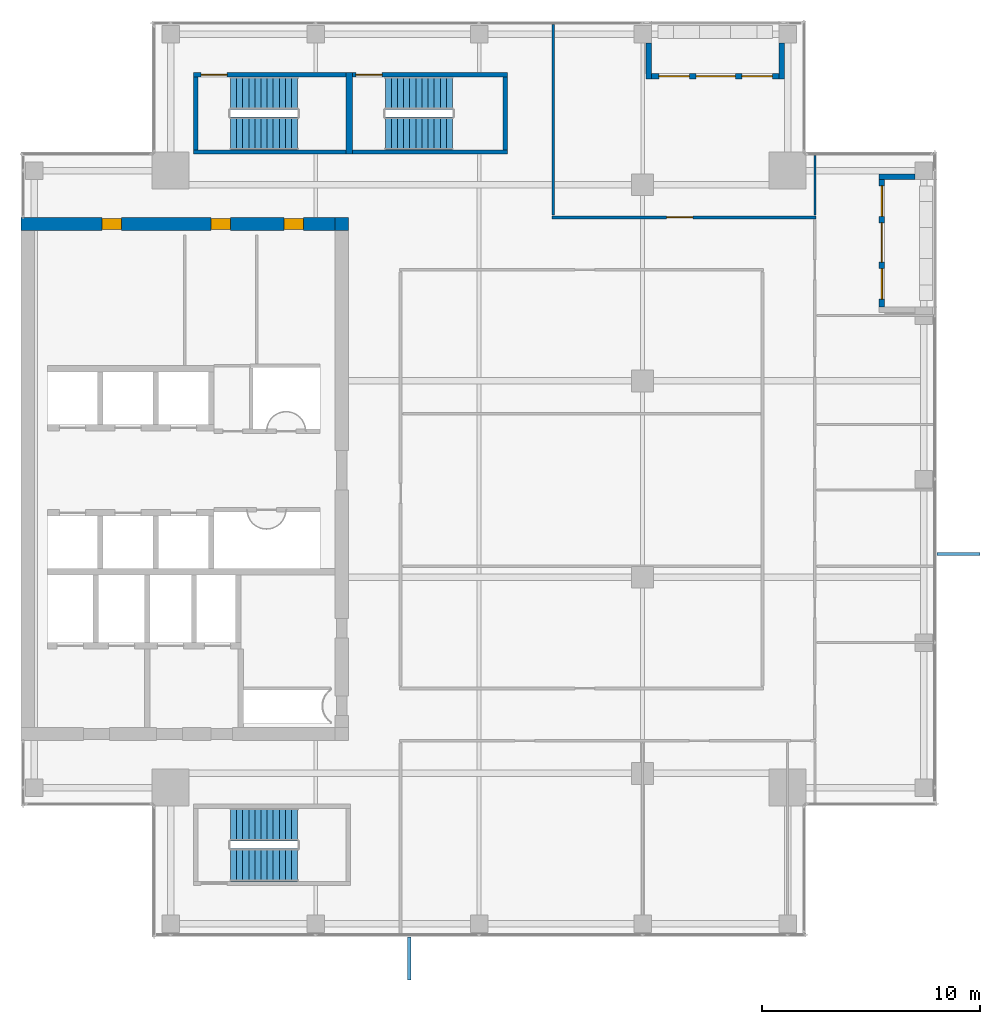
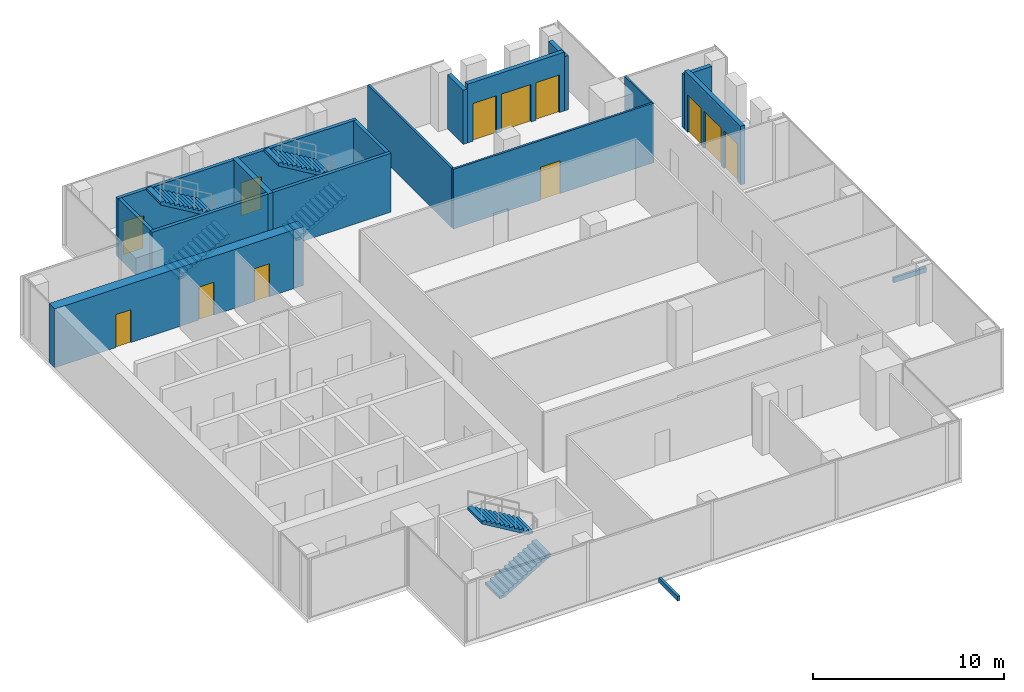
# One storey, part 25 of 28: 17 walls, 8 doors, 6 stair flights, 4 windows, 2 discrete accessories, 12 openings, 3 elements without a shape of their own.
"""IFC4 building model written with IfcOpenShell, lengths in metres."""

from ifc_helpers import new_model, si_unit, direction, frame, frame_2d, origin, origin_2d, place, context, subcontext, project, spatial, polyline, rectangle, outline, extrude, source, transform, mapped, material, layer, layer_set, type_object, element, fill, aggregate, save


model = new_model("IFC4")

# Units and contexts
model_context = context("Model", 3, precision=1e-05, world=origin(), true_north=direction((0.0, 1.0)))
body_context = subcontext(model_context, "Body", "Model", "MODEL_VIEW")
ifc_project = project(units=[si_unit("LENGTHUNIT", "METRE"), si_unit("AREAUNIT", "SQUARE_METRE"), si_unit("VOLUMEUNIT", "CUBIC_METRE"), si_unit("PLANEANGLEUNIT", "RADIAN"), si_unit("MASSUNIT", "GRAM", prefix="KILO")], contexts=[model_context])

# Site, building, storey
site_placement = place(None, origin())
site = spatial("IfcSite", under=ifc_project, at=site_placement, CompositionType="ELEMENT")
building_placement = place(site_placement, origin())
building = spatial("IfcBuilding", under=site, at=building_placement, Name="Khomas Fold Tower", CompositionType="ELEMENT")
storey_placement = place(building_placement, frame((0.0, 0.0, 302.199951171875)))
storey = spatial("IfcBuildingStorey", under=building, at=storey_placement, Name="L68", CompositionType="ELEMENT", Elevation=302.199951171875)

# Wall, opening, door
ifc_material_1 = material(Name="Concrete C50/60", Category="concrete")
ifc_layer_1 = layer(ifc_material_1, 0.199951171875)
ifc_layer_set_1 = layer_set([ifc_layer_1], Name="Concrete C50/60")
wall_type_1 = type_object("IfcWallType", Name="Stair wall 200", PredefinedType="SHEAR", material=ifc_layer_set_1)
shared_shape_1 = source(origin(), body_context, "Body", "SweptSolid", [
    extrude(rectangle(XDim=7.0, YDim=0.199951171875, at=frame_2d((3.5, 0.0))), origin(), (0.0, 0.0, 1.0), 3.75),
])
wall_1_placement = place(storey_placement, frame((13.89990234375, 45.550048828125, 0.0), z_axis=(0.0, 0.0, 1.0), x_axis=(1.0, 0.0, 0.0)))
wall_1 = element("IfcWall", 1, at=wall_1_placement, inside=storey, type_object=wall_type_1, Name="Stair wall SW-ST1-N", PredefinedType="SHEAR", context=body_context, shape_type="MappedRepresentation", body=[
    mapped(shared_shape_1, transform((0.0, 0.0, 0.0))),
])
shared_shape_2 = source(origin(), body_context, "Body", "SweptSolid", [
    extrude(rectangle(XDim=1.199951171875, YDim=2.10009765625, at=frame_2d((0.60009765625, 1.050048828125))), frame((0.0, 0.10986328125, 0.0), z_axis=(0.0, -1.0, 0.0), x_axis=(1.0, 0.0, 0.0)), (0.0, 0.0, 1.0), 0.219970703125),
])
opening_1_placement = place(wall_1_placement, frame((0.35009765625, 0.0, 0.0)))
opening_1 = element("IfcOpeningElement", 2, at=opening_1_placement, cuts=wall_1, Name="Opening SD-ST1", PredefinedType="OPENING", context=body_context, shape_type="MappedRepresentation", body=[
    mapped(shared_shape_2, transform((0.0, 0.0, 0.0))),
])
ifc_material_2 = material(Name="Steel door leaf", Category="steel")
door_type_1 = type_object("IfcDoorType", Name="Stair door 1200x2100 left-hand", OperationType="SINGLE_SWING_LEFT", PredefinedType="DOOR", material=ifc_material_2)
shared_shape_3 = source(origin(), body_context, "Body", "SweptSolid", [
    extrude(rectangle(XDim=1.199951171875, YDim=2.10009765625, at=frame_2d((0.60009765625, 1.050048828125))), frame((0.0, 0.02490234375, 0.0), z_axis=(0.0, -1.0, 0.0), x_axis=(1.0, 0.0, 0.0)), (0.0, 0.0, 1.0), 0.050048828125),
])
door_1_placement = place(opening_1_placement, origin())
door_1 = element("IfcDoor", 3, at=door_1_placement, inside=storey, type_object=door_type_1, Name="Stair door", OperationType="SINGLE_SWING_LEFT", OverallHeight=2.10009765625, OverallWidth=1.199951171875, PredefinedType="DOOR", context=body_context, shape_type="MappedRepresentation", body=[
    mapped(shared_shape_3, transform((0.0, 0.0, 0.0))),
])
fill(opening_1, door_1)

# Wall
wall_2_placement = place(storey_placement, frame((13.89990234375, 42.0, 0.0), z_axis=(0.0, 0.0, 1.0), x_axis=(1.0, 0.0, 0.0)))
element("IfcWall", 4, at=wall_2_placement, inside=storey, type_object=wall_type_1, Name="Stair wall SW-ST1-S", PredefinedType="SHEAR", context=body_context, shape_type="MappedRepresentation", body=[
    mapped(shared_shape_1, transform((0.0, 0.0, 0.0))),
])

# Wall, opening, door
shared_shape_4 = source(origin(), body_context, "Body", "SweptSolid", [
    extrude(rectangle(XDim=7.10009765625, YDim=0.199951171875, at=frame_2d((3.550048828125, 0.0))), origin(), (0.0, 0.0, 1.0), 3.75),
])
wall_3_placement = place(storey_placement, frame((21.199951171875, 45.550048828125, 0.0), z_axis=(0.0, 0.0, 1.0), x_axis=(1.0, 0.0, 0.0)))
wall_3 = element("IfcWall", 5, at=wall_3_placement, inside=storey, type_object=wall_type_1, Name="Stair wall SW-ST3-N", PredefinedType="SHEAR", context=body_context, shape_type="MappedRepresentation", body=[
    mapped(shared_shape_4, transform((0.0, 0.0, 0.0))),
])
opening_2_placement = place(wall_3_placement, frame((0.14990234375, 0.0, 0.0)))
opening_2 = element("IfcOpeningElement", 6, at=opening_2_placement, cuts=wall_3, Name="Opening SD-ST3", PredefinedType="OPENING", context=body_context, shape_type="MappedRepresentation", body=[
    mapped(shared_shape_2, transform((0.0, 0.0, 0.0))),
])
door_2_placement = place(opening_2_placement, origin())
door_2 = element("IfcDoor", 7, at=door_2_placement, inside=storey, type_object=door_type_1, Name="Stair door", OperationType="SINGLE_SWING_LEFT", OverallHeight=2.10009765625, OverallWidth=1.199951171875, PredefinedType="DOOR", context=body_context, shape_type="MappedRepresentation", body=[
    mapped(shared_shape_3, transform((0.0, 0.0, 0.0))),
])
fill(opening_2, door_2)

# Walls
wall_4_placement = place(storey_placement, frame((21.199951171875, 42.0, 0.0), z_axis=(0.0, 0.0, 1.0), x_axis=(1.0, 0.0, 0.0)))
element("IfcWall", 8, at=wall_4_placement, inside=storey, type_object=wall_type_1, Name="Stair wall SW-ST3-S", PredefinedType="SHEAR", context=body_context, shape_type="MappedRepresentation", body=[
    mapped(shared_shape_4, transform((0.0, 0.0, 0.0))),
])
ifc_material_3 = material(Name="Concrete C50/60", Category="concrete")
ifc_layer_2 = layer(ifc_material_3, 0.300048828125)
ifc_layer_set_2 = layer_set([ifc_layer_2], Name="Concrete C50/60")
wall_type_2 = type_object("IfcWallType", Name="Stair wall 300", PredefinedType="SHEAR", material=ifc_layer_set_2)
shared_shape_5 = source(origin(), body_context, "Body", "SweptSolid", [
    extrude(rectangle(XDim=3.75, YDim=0.300048828125, at=frame_2d((1.875, 0.0))), origin(), (0.0, 0.0, 1.0), 3.75),
])
wall_5_placement = place(storey_placement, frame((21.050048828125, 41.89990234375, 0.0), z_axis=(0.0, 0.0, 1.0), x_axis=(0.0, 1.0, 0.0)))
element("IfcWall", 9, at=wall_5_placement, inside=storey, type_object=wall_type_2, Name="Stair wall SW-ST1-E", PredefinedType="SHEAR", context=body_context, shape_type="MappedRepresentation", body=[
    mapped(shared_shape_5, transform((0.0, 0.0, 0.0))),
])
shared_shape_6 = source(origin(), body_context, "Body", "SweptSolid", [
    extrude(rectangle(XDim=3.349853515625, YDim=0.199951171875, at=frame_2d((1.6748046875, 0.0))), origin(), (0.0, 0.0, 1.0), 3.75),
])
for number, where, z_axis, x_axis, name in (
    (10, (14.0, 42.10009765625, 0.0), (0.0, 0.0, 1.0), (0.0, 1.0, 0.0), "Stair wall SW-ST1-W"),
    (11, (28.199951171875, 42.10009765625, 0.0), (0.0, 0.0, 1.0), (0.0, 1.0, 0.0), "Stair wall SW-ST3-E"),
):
    element("IfcWall", number, at=place(storey_placement, frame(where, z_axis=z_axis, x_axis=x_axis)), inside=storey, type_object=wall_type_1, Name=name, PredefinedType="SHEAR", context=body_context, shape_type="MappedRepresentation", body=[
        mapped(shared_shape_6, transform((0.0, 0.0, 0.0))),
    ])

# Wall, openings, doors
ifc_material_4 = material(Name="Concrete C50/60", Category="concrete")
ifc_layer_3 = layer(ifc_material_4, 0.60009765625)
ifc_layer_set_3 = layer_set([ifc_layer_3], Name="Concrete C50/60")
wall_type_3 = type_object("IfcWallType", Name="Core wall 600", PredefinedType="SHEAR", material=ifc_layer_set_3)
shared_shape_7 = source(origin(), body_context, "Body", "SweptSolid", [
    extrude(rectangle(XDim=14.39990234375, YDim=0.60009765625, at=frame_2d((7.199951171875, 0.0))), origin(), (0.0, 0.0, 1.0), 3.75),
])
wall_6_placement = place(storey_placement, frame((6.0, 38.699951171875, 0.0), z_axis=(0.0, 0.0, 1.0), x_axis=(1.0, 0.0, 0.0)))
wall_6 = element("IfcWall", 12, at=wall_6_placement, inside=storey, type_object=wall_type_3, Name="Core wall CW-U-N-L63", PredefinedType="SHEAR", context=body_context, shape_type="MappedRepresentation", body=[
    mapped(shared_shape_7, transform((0.0, 0.0, 0.0))),
])
shared_shape_8 = source(origin(), body_context, "Body", "SweptSolid", [
    extrude(rectangle(XDim=0.89990234375, YDim=2.10009765625, at=frame_2d((0.449951171875, 1.050048828125))), frame((0.0, 0.31005859375, 0.0), z_axis=(0.0, -1.0, 0.0), x_axis=(1.0, 0.0, 0.0)), (0.0, 0.0, 1.0), 0.6201171875),
])
opening_3_placement = place(wall_6_placement, frame((3.699951171875, 0.0, 0.0)))
opening_3 = element("IfcOpeningElement", 13, at=opening_3_placement, cuts=wall_6, Name="Opening 0008", PredefinedType="OPENING", context=body_context, shape_type="MappedRepresentation", body=[
    mapped(shared_shape_8, transform((0.0, 0.0, 0.0))),
])
opening_4_placement = place(wall_6_placement, frame((8.699951171875, 0.0, 0.0)))
opening_4 = element("IfcOpeningElement", 14, at=opening_4_placement, cuts=wall_6, Name="Opening 0008", PredefinedType="OPENING", context=body_context, shape_type="MappedRepresentation", body=[
    mapped(shared_shape_8, transform((0.0, 0.0, 0.0))),
])
opening_5_placement = place(wall_6_placement, frame((12.050048828125, 0.0, 0.0)))
opening_5 = element("IfcOpeningElement", 15, at=opening_5_placement, cuts=wall_6, Name="Opening 0008", PredefinedType="OPENING", context=body_context, shape_type="MappedRepresentation", body=[
    mapped(shared_shape_8, transform((0.0, 0.0, 0.0))),
])
ifc_material_5 = material(Name="Timber door leaf", Category="wood")
door_type_2 = type_object("IfcDoorType", Name="Door 900x2100 right-hand", OperationType="SINGLE_SWING_RIGHT", PredefinedType="DOOR", material=ifc_material_5)
shared_shape_9 = source(origin(), body_context, "Body", "SweptSolid", [
    extrude(rectangle(XDim=0.89990234375, YDim=2.10009765625, at=frame_2d((0.449951171875, 1.050048828125))), frame((0.0, 0.25, 0.0), z_axis=(0.0, -1.0, 0.0), x_axis=(1.0, 0.0, 0.0)), (0.0, 0.0, 1.0), 0.5),
])
door_3_placement = place(opening_3_placement, origin())
door_3 = element("IfcDoor", 16, at=door_3_placement, inside=storey, type_object=door_type_2, Name="Door", OperationType="SINGLE_SWING_RIGHT", OverallHeight=2.10009765625, OverallWidth=0.89990234375, PredefinedType="DOOR", context=body_context, shape_type="MappedRepresentation", body=[
    mapped(shared_shape_9, transform((0.0, 0.0, 0.0))),
])
fill(opening_3, door_3)
door_4_placement = place(opening_4_placement, origin())
door_4 = element("IfcDoor", 17, at=door_4_placement, inside=storey, type_object=door_type_2, Name="Door", OperationType="SINGLE_SWING_RIGHT", OverallHeight=2.10009765625, OverallWidth=0.89990234375, PredefinedType="DOOR", context=body_context, shape_type="MappedRepresentation", body=[
    mapped(shared_shape_9, transform((0.0, 0.0, 0.0))),
])
fill(opening_4, door_4)
door_5_placement = place(opening_5_placement, origin())
door_5 = element("IfcDoor", 18, at=door_5_placement, inside=storey, type_object=door_type_2, Name="Door", OperationType="SINGLE_SWING_RIGHT", OverallHeight=2.10009765625, OverallWidth=0.89990234375, PredefinedType="DOOR", context=body_context, shape_type="MappedRepresentation", body=[
    mapped(shared_shape_9, transform((0.0, 0.0, 0.0))),
])
fill(opening_5, door_5)

# Wall
ifc_material_6 = material(Name="Concrete C50/60", Category="concrete")
ifc_layer_4 = layer(ifc_material_6, 0.60009765625)
ifc_layer_set_4 = layer_set([ifc_layer_4], Name="Concrete C50/60")
wall_type_4 = type_object("IfcWallType", Name="Core corner wall 600", PredefinedType="SHEAR", material=ifc_layer_set_4)
shared_shape_10 = source(origin(), body_context, "Body", "SweptSolid", [
    extrude(rectangle(XDim=0.60009765625, YDim=0.60009765625, at=frame_2d((0.300048828125, 0.0))), origin(), (0.0, 0.0, 1.0), 3.75),
])
wall_7_placement = place(storey_placement, frame((20.39990234375, 38.699951171875, 0.0), z_axis=(0.0, 0.0, 1.0), x_axis=(1.0, 0.0, 0.0)))
element("IfcWall", 19, at=wall_7_placement, inside=storey, type_object=wall_type_4, Name="Core wall CW-U-NE-L63", PredefinedType="SHEAR", context=body_context, shape_type="MappedRepresentation", body=[
    mapped(shared_shape_10, transform((0.0, 0.0, 0.0))),
])

# Wall, openings, door, windows
ifc_material_7 = material(Name="Natural stone", Category="masonry")
ifc_layer_5 = layer(ifc_material_7, 0.0400390625)
ifc_material_8 = material(Name="Mineral wool insulation", Category="insulation")
ifc_layer_6 = layer(ifc_material_8, 0.10009765625)
ifc_material_9 = material(Name="Masonry", Category="masonry")
ifc_layer_7 = layer(ifc_material_9, 0.110107421875)
ifc_layer_set_5 = layer_set([ifc_layer_5, ifc_layer_6, ifc_layer_7], Name="Stone-faced insulated masonry")
wall_type_5 = type_object("IfcWallType", Name="BL-Balcony wall", PredefinedType="SOLIDWALL", material=ifc_layer_set_5)
shared_shape_11 = source(origin(), body_context, "Body", "SweptSolid", [
    extrude(rectangle(XDim=5.85009765625, YDim=0.25, at=frame_2d((2.925048828125, 0.0))), origin(), (0.0, 0.0, 1.0), 3.75),
])
wall_8_placement = place(storey_placement, frame((34.89990234375, 45.47509765625, 0.0), z_axis=(0.0, 0.0, 1.0), x_axis=(1.0, 0.0, 0.0)))
wall_8 = element("IfcWall", 20, at=wall_8_placement, inside=storey, type_object=wall_type_5, Name="Balcony wall BAL-L68-N4", PredefinedType="SOLIDWALL", context=body_context, shape_type="MappedRepresentation", body=[
    mapped(shared_shape_11, transform((0.0, 0.0, 0.0))),
])
shared_shape_12 = source(origin(), body_context, "Body", "SweptSolid", [
    extrude(rectangle(XDim=1.39990234375, YDim=2.39990234375, at=frame_2d((0.699951171875, 1.199951171875))), frame((0.0, 0.135009765625, 0.0), z_axis=(0.0, -1.0, 0.0), x_axis=(1.0, 0.0, 0.0)), (0.0, 0.0, 1.0), 0.27001953125),
])
opening_6_placement = place(wall_8_placement, frame((0.35009765625, 0.0, 0.0)))
opening_6 = element("IfcOpeningElement", 21, at=opening_6_placement, cuts=wall_8, Name="Opening BL-W6", PredefinedType="OPENING", context=body_context, shape_type="MappedRepresentation", body=[
    mapped(shared_shape_12, transform((0.0, 0.0, 0.0))),
])
opening_7_placement = place(wall_8_placement, frame((4.14990234375, 0.0, 0.0)))
opening_7 = element("IfcOpeningElement", 22, at=opening_7_placement, cuts=wall_8, Name="Opening BL-W6", PredefinedType="OPENING", context=body_context, shape_type="MappedRepresentation", body=[
    mapped(shared_shape_12, transform((0.0, 0.0, 0.0))),
])
shared_shape_13 = source(origin(), body_context, "Body", "SweptSolid", [
    extrude(rectangle(XDim=1.800048828125, YDim=2.39990234375, at=frame_2d((0.89990234375, 1.199951171875))), frame((0.0, 0.135009765625, 0.0), z_axis=(0.0, -1.0, 0.0), x_axis=(1.0, 0.0, 0.0)), (0.0, 0.0, 1.0), 0.27001953125),
])
opening_8_placement = place(wall_8_placement, frame((2.050048828125, 0.0, 0.0)))
opening_8 = element("IfcOpeningElement", 23, at=opening_8_placement, cuts=wall_8, Name="Opening BD681", PredefinedType="OPENING", context=body_context, shape_type="MappedRepresentation", body=[
    mapped(shared_shape_13, transform((0.0, 0.0, 0.0))),
])
ifc_material_10 = material(Name="Aluminium framed double glazing", Category="aluminium")
door_type_3 = type_object("IfcDoorType", Name="BL-Glazed balcony door 1800 x 2400", OperationType="DOUBLE_DOOR_DOUBLE_SWING", PredefinedType="DOOR", material=ifc_material_10)
shared_shape_14 = source(origin(), body_context, "Body", "SweptSolid", [
    extrude(rectangle(XDim=1.800048828125, YDim=2.39990234375, at=frame_2d((0.89990234375, 1.199951171875))), frame((0.0, 0.02490234375, 0.0), z_axis=(0.0, -1.0, 0.0), x_axis=(1.0, 0.0, 0.0)), (0.0, 0.0, 1.0), 0.050048828125),
])
door_6_placement = place(opening_8_placement, origin())
door_6 = element("IfcDoor", 24, at=door_6_placement, inside=storey, type_object=door_type_3, Name="Balcony door BD681", OperationType="DOUBLE_DOOR_DOUBLE_SWING", OverallHeight=2.39990234375, OverallWidth=1.800048828125, PredefinedType="DOOR", context=body_context, shape_type="MappedRepresentation", body=[
    mapped(shared_shape_14, transform((0.0, 0.0, 0.0))),
])
fill(opening_8, door_6)
ifc_material_11 = material(Name="Aluminium framed double glazing", Category="aluminium")
window_type = type_object("IfcWindowType", Name="BL-Fixed glazing 1400 x 2400", PartitioningType="SINGLE_PANEL", PredefinedType="WINDOW", material=ifc_material_11)
shared_shape_15 = source(origin(), body_context, "Body", "SweptSolid", [
    extrude(rectangle(XDim=1.39990234375, YDim=2.39990234375, at=frame_2d((0.699951171875, 1.199951171875))), frame((0.0, 0.030029296875, 0.0), z_axis=(0.0, -1.0, 0.0), x_axis=(1.0, 0.0, 0.0)), (0.0, 0.0, 1.0), 0.06005859375),
])
window_1_placement = place(opening_6_placement, origin())
window_1 = element("IfcWindow", 25, at=window_1_placement, inside=storey, type_object=window_type, Name="Balcony glazing BAL-L68-N4-1", OverallHeight=2.39990234375, OverallWidth=1.39990234375, PartitioningType="SINGLE_PANEL", PredefinedType="WINDOW", context=body_context, shape_type="MappedRepresentation", body=[
    mapped(shared_shape_15, transform((0.0, 0.0, 0.0))),
])
fill(opening_6, window_1)
window_2_placement = place(opening_7_placement, origin())
window_2 = element("IfcWindow", 26, at=window_2_placement, inside=storey, type_object=window_type, Name="Balcony glazing BAL-L68-N4-2", OverallHeight=2.39990234375, OverallWidth=1.39990234375, PartitioningType="SINGLE_PANEL", PredefinedType="WINDOW", context=body_context, shape_type="MappedRepresentation", body=[
    mapped(shared_shape_15, transform((0.0, 0.0, 0.0))),
])
fill(opening_7, window_2)

wall_9_placement = place(storey_placement, frame((45.47509765625, 34.89990234375, 0.0), z_axis=(0.0, 0.0, 1.0), x_axis=(0.0, 1.0, 0.0)))
wall_9 = element("IfcWall", 27, at=wall_9_placement, inside=storey, type_object=wall_type_5, Name="Balcony wall BAL-L68-E4", PredefinedType="SOLIDWALL", context=body_context, shape_type="MappedRepresentation", body=[
    mapped(shared_shape_11, transform((0.0, 0.0, 0.0))),
])
opening_9_placement = place(wall_9_placement, frame((0.35009765625, 0.0, 0.0)))
opening_9 = element("IfcOpeningElement", 28, at=opening_9_placement, cuts=wall_9, Name="Opening BL-W6", PredefinedType="OPENING", context=body_context, shape_type="MappedRepresentation", body=[
    mapped(shared_shape_12, transform((0.0, 0.0, 0.0))),
])
opening_10_placement = place(wall_9_placement, frame((4.14990234375, 0.0, 0.0)))
opening_10 = element("IfcOpeningElement", 29, at=opening_10_placement, cuts=wall_9, Name="Opening BL-W6", PredefinedType="OPENING", context=body_context, shape_type="MappedRepresentation", body=[
    mapped(shared_shape_12, transform((0.0, 0.0, 0.0))),
])
opening_11_placement = place(wall_9_placement, frame((2.050048828125, 0.0, 0.0)))
opening_11 = element("IfcOpeningElement", 30, at=opening_11_placement, cuts=wall_9, Name="Opening BD682", PredefinedType="OPENING", context=body_context, shape_type="MappedRepresentation", body=[
    mapped(shared_shape_13, transform((0.0, 0.0, 0.0))),
])
door_7_placement = place(opening_11_placement, origin())
door_7 = element("IfcDoor", 31, at=door_7_placement, inside=storey, type_object=door_type_3, Name="Balcony door BD682", OperationType="DOUBLE_DOOR_DOUBLE_SWING", OverallHeight=2.39990234375, OverallWidth=1.800048828125, PredefinedType="DOOR", context=body_context, shape_type="MappedRepresentation", body=[
    mapped(shared_shape_14, transform((0.0, 0.0, 0.0))),
])
fill(opening_11, door_7)
window_3_placement = place(opening_9_placement, origin())
window_3 = element("IfcWindow", 32, at=window_3_placement, inside=storey, type_object=window_type, Name="Balcony glazing BAL-L68-E4-1", OverallHeight=2.39990234375, OverallWidth=1.39990234375, PartitioningType="SINGLE_PANEL", PredefinedType="WINDOW", context=body_context, shape_type="MappedRepresentation", body=[
    mapped(shared_shape_15, transform((0.0, 0.0, 0.0))),
])
fill(opening_9, window_3)
window_4_placement = place(opening_10_placement, origin())
window_4 = element("IfcWindow", 33, at=window_4_placement, inside=storey, type_object=window_type, Name="Balcony glazing BAL-L68-E4-2", OverallHeight=2.39990234375, OverallWidth=1.39990234375, PartitioningType="SINGLE_PANEL", PredefinedType="WINDOW", context=body_context, shape_type="MappedRepresentation", body=[
    mapped(shared_shape_15, transform((0.0, 0.0, 0.0))),
])
fill(opening_10, window_4)

# Walls
shared_shape_16 = source(origin(), body_context, "Body", "SweptSolid", [
    extrude(rectangle(XDim=1.64990234375, YDim=0.25, at=frame_2d((0.824951171875, 0.0))), origin(), (0.0, 0.0, 1.0), 3.449951171875),
])
for number, where, z_axis, x_axis, name in (
    (34, (34.77490234375, 47.0, 0.0), (0.0, 0.0, 1.0), (0.0, -1.0, 0.0), "Balcony return wall BAL-L68-N4-lo"),
    (35, (40.875, 47.0, 0.0), (0.0, 0.0, 1.0), (0.0, -1.0, 0.0), "Balcony return wall BAL-L68-N4-hi"),
    (36, (47.0, 40.875, 0.0), (0.0, 0.0, 1.0), (-1.0, 0.0, 0.0), "Balcony return wall BAL-L68-E4-hi"),
):
    element("IfcWall", number, at=place(storey_placement, frame(where, z_axis=z_axis, x_axis=x_axis)), inside=storey, type_object=wall_type_5, Name=name, PredefinedType="SOLIDWALL", context=body_context, shape_type="MappedRepresentation", body=[
        mapped(shared_shape_16, transform((0.0, 0.0, 0.0))),
    ])
ifc_material_12 = material(Name="Plasterboard partition")
ifc_layer_8 = layer(ifc_material_12, 0.125)
ifc_layer_set_6 = layer_set([ifc_layer_8], Name="Plasterboard partition")
wall_type_6 = type_object("IfcWallType", Name="Partition PW2 125", PredefinedType="PARTITIONING", material=ifc_layer_set_6)
shared_shape_17 = source(origin(), body_context, "Body", "SweptSolid", [
    extrude(rectangle(XDim=8.75, YDim=0.125, at=frame_2d((4.375, 0.0))), origin(), (0.0, 0.0, 1.0), 3.800048828125),
])
wall_10_placement = place(storey_placement, frame((30.39990234375, 39.10009765625, 0.0), z_axis=(0.0, 0.0, 1.0), x_axis=(0.0, 1.0, 0.0)))
element("IfcWall", 37, at=wall_10_placement, inside=storey, type_object=wall_type_6, Name="Partition", PredefinedType="PARTITIONING", context=body_context, shape_type="MappedRepresentation", body=[
    mapped(shared_shape_17, transform((0.0, 0.0, 0.0))),
])
ifc_material_13 = material(Name="Plasterboard partition")
ifc_layer_9 = layer(ifc_material_13, 0.10009765625)
ifc_layer_set_7 = layer_set([ifc_layer_9], Name="Plasterboard partition")
wall_type_7 = type_object("IfcWallType", Name="Partition PW1 100", PredefinedType="PARTITIONING", material=ifc_layer_set_7)
shared_shape_18 = source(origin(), body_context, "Body", "SweptSolid", [
    extrude(rectangle(XDim=2.75, YDim=0.10009765625, at=frame_2d((1.375, 0.0))), origin(), (0.0, 0.0, 1.0), 3.800048828125),
])
wall_11_placement = place(storey_placement, frame((42.39990234375, 39.10009765625, 0.0), z_axis=(0.0, 0.0, 1.0), x_axis=(0.0, 1.0, 0.0)))
element("IfcWall", 38, at=wall_11_placement, inside=storey, type_object=wall_type_7, Name="Partition", PredefinedType="PARTITIONING", context=body_context, shape_type="MappedRepresentation", body=[
    mapped(shared_shape_18, transform((0.0, 0.0, 0.0))),
])

# Wall, opening, door
shared_shape_19 = source(origin(), body_context, "Body", "SweptSolid", [
    extrude(rectangle(XDim=12.099853515625, YDim=0.125, at=frame_2d((6.0498046875, 0.0))), origin(), (0.0, 0.0, 1.0), 3.800048828125),
])
wall_12_placement = place(storey_placement, frame((30.35009765625, 39.0, 0.0), z_axis=(0.0, 0.0, 1.0), x_axis=(1.0, 0.0, 0.0)))
wall_12 = element("IfcWall", 39, at=wall_12_placement, inside=storey, type_object=wall_type_6, Name="Partition", PredefinedType="PARTITIONING", context=body_context, shape_type="MappedRepresentation", body=[
    mapped(shared_shape_19, transform((0.0, 0.0, 0.0))),
])
shared_shape_20 = source(origin(), body_context, "Body", "SweptSolid", [
    extrude(rectangle(XDim=1.199951171875, YDim=2.10009765625, at=frame_2d((0.60009765625, 1.050048828125))), frame((0.0, 0.072509765625, 0.0), z_axis=(0.0, -1.0, 0.0), x_axis=(1.0, 0.0, 0.0)), (0.0, 0.0, 1.0), 0.14501953125),
])
opening_12_placement = place(wall_12_placement, frame((5.25, 0.0, 0.0)))
opening_12 = element("IfcOpeningElement", 40, at=opening_12_placement, cuts=wall_12, Name="Opening 0013", PredefinedType="OPENING", context=body_context, shape_type="MappedRepresentation", body=[
    mapped(shared_shape_20, transform((0.0, 0.0, 0.0))),
])
ifc_material_14 = material(Name="Timber door leaf", Category="wood")
door_type_4 = type_object("IfcDoorType", Name="Door 1200x2100 left-hand", OperationType="SINGLE_SWING_LEFT", PredefinedType="DOOR", material=ifc_material_14)
door_8_placement = place(opening_12_placement, origin())
door_8 = element("IfcDoor", 41, at=door_8_placement, inside=storey, type_object=door_type_4, Name="Door", OperationType="SINGLE_SWING_LEFT", OverallHeight=2.10009765625, OverallWidth=1.199951171875, PredefinedType="DOOR", context=body_context, shape_type="MappedRepresentation", body=[
    mapped(shared_shape_3, transform((0.0, 0.0, 0.0))),
])
fill(opening_12, door_8)

# Stair, stair flights
ifc_material_15 = material(Name="Concrete C40/50", Category="concrete")
stair_type_1 = type_object("IfcStairType", Name="Stair ST1", PredefinedType="HALF_TURN_STAIR", material=ifc_material_15)
stair_1_placement = place(storey_placement, origin())
stair_1 = element("IfcStair", 42, at=stair_1_placement, inside=storey, type_object=stair_type_1, Name="L68 ST1", PredefinedType="HALF_TURN_STAIR")
ifc_material_16 = material(Name="Concrete C40/50", Category="concrete")
stair_flight_type_1 = type_object("IfcStairFlightType", Name="Stair flight 1500 ST1", PredefinedType="STRAIGHT", material=ifc_material_16)
shared_shape_21 = source(origin(), body_context, "Body", "SweptSolid", [
    extrude(outline(polyline([(0.0, 0.0), (0.0, 0.012939453125), (0.0, 0.025634765625), (0.0, 0.03857421875), (0.0, 0.05126953125), (0.0, 0.064208984375), (0.0, 0.076904296875), (0.0, 0.08984375), (0.0, 0.1025390625), (0.0, 0.115478515625), (0.0, 0.128173828125), (0.0, 0.14111328125), (0.0, 0.15380859375), (0.0, 0.166748046875), (0.280029296875, 0.166748046875), (0.280029296875, 0.333251953125), (0.56005859375, 0.333251953125), (0.56005859375, 0.5), (0.840087890625, 0.5), (0.840087890625, 0.666748046875), (1.1201171875, 0.666748046875), (1.1201171875, 0.833251953125), (1.39990234375, 0.833251953125), (1.39990234375, 1.0), (1.679931640625, 1.0), (1.679931640625, 1.166748046875), (1.9599609375, 1.166748046875), (1.9599609375, 1.333251953125), (2.239990234375, 1.333251953125), (2.239990234375, 1.5), (2.52001953125, 1.5), (2.52001953125, 1.666748046875), (2.800048828125, 1.666748046875), (2.800048828125, 1.833251953125), (3.080078125, 1.833251953125), (3.080078125, 2.0), (3.080078125, 1.973876953125), (3.080078125, 1.947509765625), (3.080078125, 1.92138671875), (3.080078125, 1.89501953125), (3.080078125, 1.868896484375), (3.080078125, 1.842529296875), (3.080078125, 1.81640625), (3.080078125, 1.7900390625), (3.080078125, 1.763916015625), (3.080078125, 1.737548828125), (3.080078125, 1.71142578125), (3.080078125, 1.68505859375), (3.080078125, 1.658935546875), (0.29296875, 0.0), (0.0, 0.0)])), frame((0.0, 0.75, 0.0), z_axis=(0.0, -1.0, 0.0), x_axis=(1.0, 0.0, 0.0)), (0.0, 0.0, 1.0), 1.5),
])
stair_flight_1_placement = place(storey_placement, frame((15.60009765625, 42.85009765625, 0.0), z_axis=(0.0, 0.0, 1.0), x_axis=(1.0, 0.0, 0.0)))
stair_flight_1 = element("IfcStairFlight", 43, at=stair_flight_1_placement, type_object=stair_flight_type_1, Name="ST1 flight 1", NumberOfRisers=12, NumberOfTreads=11, PredefinedType="STRAIGHT", RiserHeight=0.166666667, TreadLength=0.28, context=body_context, shape_type="MappedRepresentation", body=[
    mapped(shared_shape_21, transform((0.0, 0.0, 0.0))),
])
stair_flight_2_placement = place(storey_placement, frame((18.679931640625, 44.699951171875, 2.0), z_axis=(0.0, 0.0, 1.0), x_axis=(-1.0, 0.0, 0.0)))
stair_flight_2 = element("IfcStairFlight", 44, at=stair_flight_2_placement, type_object=stair_flight_type_1, Name="ST1 flight 2", NumberOfRisers=12, NumberOfTreads=11, PredefinedType="STRAIGHT", RiserHeight=0.166666667, TreadLength=0.28, context=body_context, shape_type="MappedRepresentation", body=[
    mapped(shared_shape_21, transform((0.0, 0.0, 0.0))),
])
aggregate(stair_1, [stair_flight_1, stair_flight_2])

ifc_material_17 = material(Name="Concrete C40/50", Category="concrete")
stair_type_2 = type_object("IfcStairType", Name="Stair ST2", PredefinedType="HALF_TURN_STAIR", material=ifc_material_17)
stair_2_placement = place(storey_placement, origin())
stair_2 = element("IfcStair", 45, at=stair_2_placement, inside=storey, type_object=stair_type_2, Name="L68 ST2", PredefinedType="HALF_TURN_STAIR")
ifc_material_18 = material(Name="Concrete C40/50", Category="concrete")
stair_flight_type_2 = type_object("IfcStairFlightType", Name="Stair flight 1500 ST2", PredefinedType="STRAIGHT", material=ifc_material_18)
stair_flight_3_placement = place(storey_placement, frame((15.60009765625, 9.300048828125, 0.0), z_axis=(0.0, 0.0, 1.0), x_axis=(1.0, 0.0, 0.0)))
stair_flight_3 = element("IfcStairFlight", 46, at=stair_flight_3_placement, type_object=stair_flight_type_2, Name="ST2 flight 1", NumberOfRisers=12, NumberOfTreads=11, PredefinedType="STRAIGHT", RiserHeight=0.166666667, TreadLength=0.28, context=body_context, shape_type="MappedRepresentation", body=[
    mapped(shared_shape_21, transform((0.0, 0.0, 0.0))),
])
stair_flight_4_placement = place(storey_placement, frame((18.679931640625, 11.14990234375, 2.0), z_axis=(0.0, 0.0, 1.0), x_axis=(-1.0, 0.0, 0.0)))
stair_flight_4 = element("IfcStairFlight", 47, at=stair_flight_4_placement, type_object=stair_flight_type_2, Name="ST2 flight 2", NumberOfRisers=12, NumberOfTreads=11, PredefinedType="STRAIGHT", RiserHeight=0.166666667, TreadLength=0.28, context=body_context, shape_type="MappedRepresentation", body=[
    mapped(shared_shape_21, transform((0.0, 0.0, 0.0))),
])
aggregate(stair_2, [stair_flight_3, stair_flight_4])

ifc_material_19 = material(Name="Concrete C40/50", Category="concrete")
stair_type_3 = type_object("IfcStairType", Name="Stair ST3", PredefinedType="HALF_TURN_STAIR", material=ifc_material_19)
stair_3_placement = place(storey_placement, origin())
stair_3 = element("IfcStair", 48, at=stair_3_placement, inside=storey, type_object=stair_type_3, Name="L68 ST3", PredefinedType="HALF_TURN_STAIR")
ifc_material_20 = material(Name="Concrete C40/50", Category="concrete")
stair_flight_type_3 = type_object("IfcStairFlightType", Name="Stair flight 1500 ST3", PredefinedType="STRAIGHT", material=ifc_material_20)
stair_flight_5_placement = place(storey_placement, frame((22.699951171875, 42.85009765625, 0.0), z_axis=(0.0, 0.0, 1.0), x_axis=(1.0, 0.0, 0.0)))
stair_flight_5 = element("IfcStairFlight", 49, at=stair_flight_5_placement, type_object=stair_flight_type_3, Name="ST3 flight 1", NumberOfRisers=12, NumberOfTreads=11, PredefinedType="STRAIGHT", RiserHeight=0.166666667, TreadLength=0.28, context=body_context, shape_type="MappedRepresentation", body=[
    mapped(shared_shape_21, transform((0.0, 0.0, 0.0))),
])
stair_flight_6_placement = place(storey_placement, frame((25.780029296875, 44.699951171875, 2.0), z_axis=(0.0, 0.0, 1.0), x_axis=(-1.0, 0.0, 0.0)))
stair_flight_6 = element("IfcStairFlight", 50, at=stair_flight_6_placement, type_object=stair_flight_type_3, Name="ST3 flight 2", NumberOfRisers=12, NumberOfTreads=11, PredefinedType="STRAIGHT", RiserHeight=0.166666667, TreadLength=0.28, context=body_context, shape_type="MappedRepresentation", body=[
    mapped(shared_shape_21, transform((0.0, 0.0, 0.0))),
])
aggregate(stair_3, [stair_flight_5, stair_flight_6])

# Discrete accessories
ifc_material_21 = material(Name="Stainless steel", Category="steel")
discrete_accessory_type = type_object("IfcDiscreteAccessoryType", Name="SK-Stainless steel stone bracket", PredefinedType="BRACKET", material=ifc_material_21)
shared_shape_22 = source(origin(), body_context, "Body", "SweptSolid", [
    extrude(rectangle(XDim=1.974609375, YDim=0.14990234375, at=origin_2d()), origin(), (0.0, 0.0, 1.0), 0.31005859375),
])
for number, where, z_axis, x_axis, name in (
    (51, (23.797119140625, 5.0126953125, -0.25), (0.0, 0.0, 1.0), (0.0, -1.0, 0.0), "Stone bracket L68 SS06-1-2"),
    (52, (48.9873046875, 23.561767578125, -0.25), (0.0, 0.0, 1.0), (1.0, 0.0, 0.0), "Stone bracket L68 ES06-1-2"),
):
    element("IfcDiscreteAccessory", number, at=place(storey_placement, frame(where, z_axis=z_axis, x_axis=x_axis)), inside=storey, type_object=discrete_accessory_type, Name=name, PredefinedType="BRACKET", context=body_context, shape_type="MappedRepresentation", body=[
        mapped(shared_shape_22, transform((0.0, 0.0, 0.0))),
    ])

save(model, "model.ifc")
